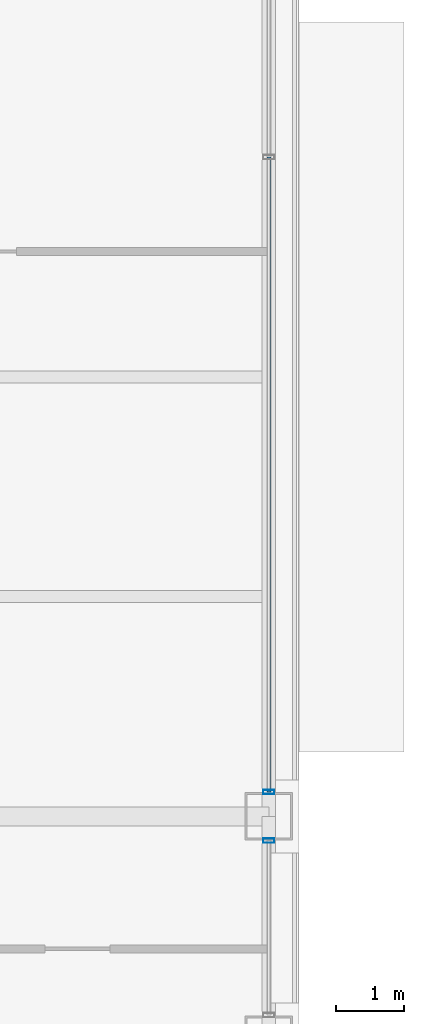
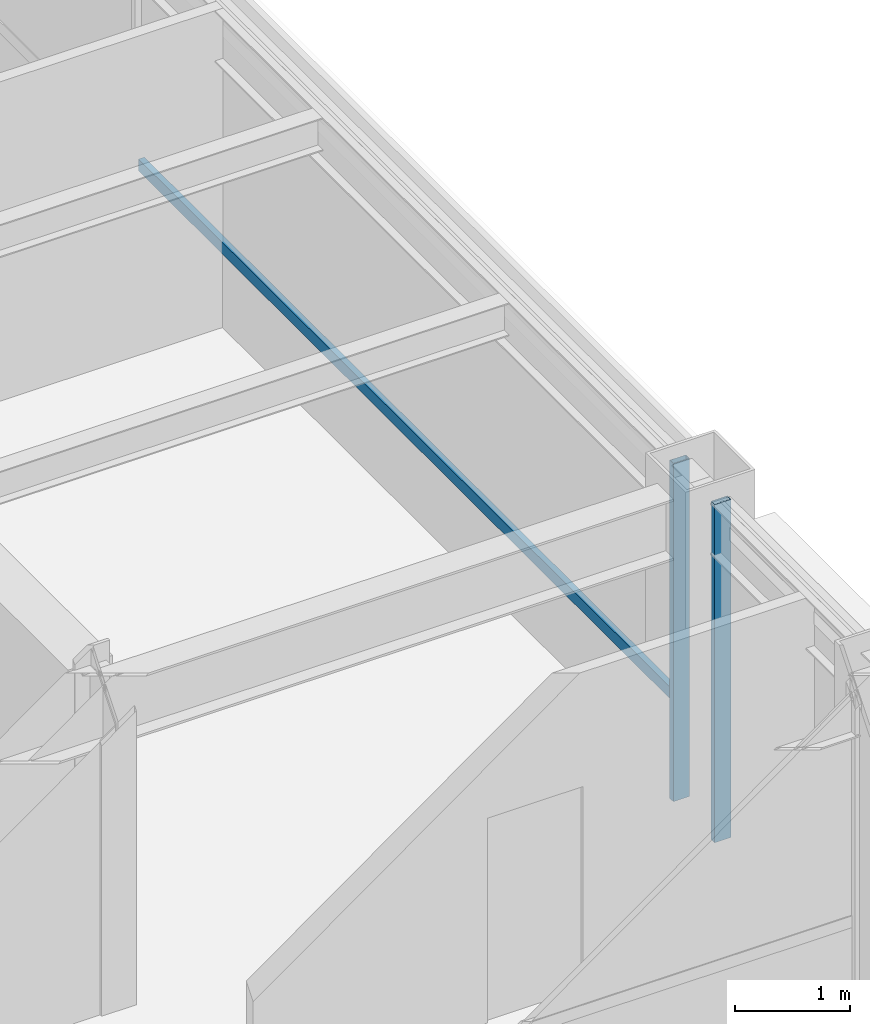
# One storey, part 14 of 26: 3 members, 2 elements without a shape of their own.
"""IFC4 building model written with IfcOpenShell, lengths in metres."""

import ifcopenshell
import ifcopenshell.guid

model = None  # the IFC model being written
_history = None  # IfcOwnerHistory: only IFC2X3 demands one
_inside = {}  # id of a spatial element -> (the spatial element, [elements in it])
_under = {}  # id of a project, library or spatial element -> (it, [spatial elements below it])
_declared = {}  # id of a project -> (the project, [libraries it declares])
_typed = {}  # id of a type object -> (the type object, [elements of that type])
_made_of = {}  # id of a material, layer set ... -> (it, [elements and type objects made of it])


def new_model(schema):
    """Start an empty IFC model of exactly this schema.

    Asked for "IFC4X3", IfcOpenShell would pick the latest addendum, in which some entities
    have other attributes; the version numbers below select the first issue.
    IFC2X3 requires an IfcOwnerHistory on every rooted entity: one is made here for all.
    """
    global model, _history
    if schema == "IFC4X3":
        model = ifcopenshell.file(schema_version=(4, 3, 0, 0))
    else:
        model = ifcopenshell.file(schema=schema)
    _inside.clear()
    _under.clear()
    _declared.clear()
    _typed.clear()
    _made_of.clear()
    _history = None
    if model.schema == "IFC2X3":
        org = make("IfcOrganization", Name="unknown")
        user = make(
            "IfcPersonAndOrganization",
            ThePerson=make("IfcPerson", FamilyName="unknown"),
            TheOrganization=org,
        )
        app = make(
            "IfcApplication",
            ApplicationDeveloper=org,
            Version="unknown",
            ApplicationFullName="unknown",
            ApplicationIdentifier="unknown",
        )
        _history = make(
            "IfcOwnerHistory",
            OwningUser=user,
            OwningApplication=app,
            ChangeAction="ADDED",
            CreationDate=0,
        )
    return model


def make(cls, **values):
    """One entity of the class cls with the attributes given. An attribute that is None is left unset."""
    return model.create_entity(
        cls, **{name: value for name, value in values.items() if value is not None}
    )


def rooted(cls, **values):
    """An entity with a GlobalId (a new one), such as an element, a storey or a relation."""
    return make(cls, GlobalId=ifcopenshell.guid.new(), OwnerHistory=_history, **values)


def si_unit(unit_type, name, prefix=None):
    """IfcSIUnit, for example si_unit("LENGTHUNIT", "METRE", prefix="MILLI")."""
    return make("IfcSIUnit", UnitType=unit_type, Prefix=prefix, Name=name)


def assignment(units):
    """IfcUnitAssignment: the units of a project."""
    return None if units is None else make("IfcUnitAssignment", Units=units)


def point(xyz):
    """IfcCartesianPoint."""
    return None if xyz is None else make("IfcCartesianPoint", Coordinates=xyz)


def direction(xyz):
    """IfcDirection."""
    return None if xyz is None else make("IfcDirection", DirectionRatios=xyz)


def frame(location, z_axis=None, x_axis=None):
    """IfcAxis2Placement3D, a coordinate frame: its origin and axes. An axis left out is left unset."""
    return make(
        "IfcAxis2Placement3D",
        Location=point(location),
        Axis=direction(z_axis),
        RefDirection=direction(x_axis),
    )


def frame_2d(location, x_axis=None):
    """IfcAxis2Placement2D, a coordinate frame in the plane: its origin and x axis."""
    return make(
        "IfcAxis2Placement2D", Location=point(location), RefDirection=direction(x_axis)
    )


def origin():
    """The frame at (0, 0, 0) with its axes left unset."""
    return frame((0.0, 0.0, 0.0))


def origin_2d():
    """The frame at (0, 0) in the plane with its x axis left unset."""
    return frame_2d((0.0, 0.0))


def place(relative_to, where):
    """IfcLocalPlacement: puts the frame where relative to a parent placement (None: the world)."""
    return make(
        "IfcLocalPlacement", PlacementRelTo=relative_to, RelativePlacement=where
    )


def context(
    kind, dimensions, precision=None, world=None, true_north=None, identifier=None
):
    """IfcGeometricRepresentationContext, for example the 3D "Model" context."""
    return make(
        "IfcGeometricRepresentationContext",
        ContextIdentifier=identifier,
        ContextType=kind,
        CoordinateSpaceDimension=dimensions,
        Precision=precision,
        WorldCoordinateSystem=world,
        TrueNorth=true_north,
    )


def subcontext(parent, identifier, kind, view, scale=None):
    """IfcGeometricRepresentationSubContext, for example "Body" below "Model"."""
    return make(
        "IfcGeometricRepresentationSubContext",
        ContextIdentifier=identifier,
        ContextType=kind,
        ParentContext=parent,
        TargetScale=scale,
        TargetView=view,
    )


def project(units=None, contexts=None):
    """IfcProject with its units and contexts."""
    return rooted(
        "IfcProject",
        Name="project",
        RepresentationContexts=contexts,
        UnitsInContext=assignment(units),
    )


def spatial(cls, under=None, at=None, **own):
    """A site, building, storey or space (cls), placed at a placement, below another one or the project."""
    s = rooted(cls, ObjectPlacement=at, **own)
    if under is not None:
        _under.setdefault(under.id(), (under, []))[1].append(s)
    return s


def profile(cls, at=None, kind="AREA", **sizes):
    """A parametric profile (cls). Its sizes go by their IFC names, for example OverallWidth=200.0."""
    return make(cls, ProfileType=kind, Position=at, **sizes)


def hollow_rectangle(**sizes):
    """IfcRectangleHollowProfileDef."""
    return profile("IfcRectangleHollowProfileDef", **sizes)


def extrude(swept, where, along, depth):
    """IfcExtrudedAreaSolid: the profile swept, set in the frame where, extruded along a direction by depth."""
    return make(
        "IfcExtrudedAreaSolid",
        SweptArea=swept,
        Position=where,
        ExtrudedDirection=direction(along),
        Depth=depth,
    )


def shape(context_of_items, identifier, shape_type, items):
    """IfcShapeRepresentation: the items that make up one representation, for example the "Body"."""
    return make(
        "IfcShapeRepresentation",
        ContextOfItems=context_of_items,
        RepresentationIdentifier=identifier,
        RepresentationType=shape_type,
        Items=items,
    )


def material(Name=None, Category=None):
    """IfcMaterial."""
    return make("IfcMaterial", Name=Name, Category=Category)


def layer(
    of_material, thickness, ventilated=None, Name=None, Category=None, Priority=None
):
    """IfcMaterialLayer: one layer of a wall or slab, of a material (None: an air gap)."""
    return make(
        "IfcMaterialLayer",
        Material=of_material,
        LayerThickness=thickness,
        IsVentilated=ventilated,
        Name=Name,
        Category=Category,
        Priority=Priority,
    )


def layer_set(layers, Name=None):
    """IfcMaterialLayerSet."""
    return make("IfcMaterialLayerSet", MaterialLayers=layers, LayerSetName=Name)


def material_profile(
    of_material, cross_section, Name=None, Category=None, Priority=None
):
    """IfcMaterialProfile: a cross section and its material."""
    return make(
        "IfcMaterialProfile",
        Name=Name,
        Material=of_material,
        Profile=cross_section,
        Priority=Priority,
        Category=Category,
    )


def profile_set(profiles, Name=None, composite=None):
    """IfcMaterialProfileSet."""
    return make(
        "IfcMaterialProfileSet",
        Name=Name,
        MaterialProfiles=profiles,
        CompositeProfile=composite,
    )


def made_of(thing, what):
    """Note that an element or type object is made of a material, layer set ...; save() writes the relation."""
    if what is not None:
        _made_of.setdefault(what.id(), (what, []))[1].append(thing)
    return thing


def type_object(cls, material=None, **own):
    """A type object (cls), such as IfcWallType, which elements share."""
    return made_of(rooted(cls, **own), material)


def element(
    cls,
    number,
    at=None,
    inside=None,
    cuts=None,
    type_object=None,
    material=None,
    context=None,
    identifier="Body",
    shape_type=None,
    held_by="IfcProductDefinitionShape",
    body=None,
    shapes=None,
    **own,
):
    """One element of the class cls, such as IfcWall. Its Tag is "e" and its number.

    at: its placement. inside: the storey or other place that contains it. cuts: it is an
    opening in that element (IfcRelVoidsElement). A single representation is given by context,
    identifier, shape_type and body (its items); several are given by shapes. held_by: the class
    of the entity that holds the representations. save() writes the other relations.
    """
    e = rooted(cls, Tag="e%d" % number, ObjectPlacement=at, **own)
    if body is not None:
        shapes = [shape(context, identifier, shape_type, body)]
    if shapes is not None:
        e.Representation = make(held_by, Representations=shapes)
    if inside is not None:
        _inside.setdefault(inside.id(), (inside, []))[1].append(e)
    if cuts is not None:
        rooted(
            "IfcRelVoidsElement", RelatingBuildingElement=cuts, RelatedOpeningElement=e
        )
    if type_object is not None:
        _typed.setdefault(type_object.id(), (type_object, []))[1].append(e)
    return made_of(e, material)


def aggregate(whole, parts):
    """IfcRelAggregates: a whole, such as a stair, and the parts it consists of."""
    return rooted("IfcRelAggregates", RelatingObject=whole, RelatedObjects=parts)


def save(model, path):
    """Write the relations noted so far, then the file.

    IfcRelAggregates (storeys below a building ...), IfcRelContainedInSpatialStructure (elements
    in a storey), IfcRelDefinesByType, IfcRelAssociatesMaterial and IfcRelDeclares: one each for
    every whole, place, type object, material and project.
    """
    for whole, parts in _under.values():
        aggregate(whole, parts)
    for where, things in _inside.values():
        rooted(
            "IfcRelContainedInSpatialStructure",
            RelatedElements=things,
            RelatingStructure=where,
        )
    for kind, things in _typed.values():
        rooted("IfcRelDefinesByType", RelatedObjects=things, RelatingType=kind)
    for what, things in _made_of.values():
        rooted("IfcRelAssociatesMaterial", RelatedObjects=things, RelatingMaterial=what)
    for by, libraries in _declared.values():
        rooted("IfcRelDeclares", RelatingContext=by, RelatedDefinitions=libraries)
    model.write(path)


model = new_model("IFC4")

# Units and contexts
model_context = context("Model", 3, precision=1e-05, world=origin(), true_north=direction((0.0, 1.0)))
body_context = subcontext(model_context, "Body", "Model", "MODEL_VIEW")
ifc_project = project(units=[si_unit("LENGTHUNIT", "METRE"), si_unit("AREAUNIT", "SQUARE_METRE"), si_unit("VOLUMEUNIT", "CUBIC_METRE"), si_unit("PLANEANGLEUNIT", "RADIAN"), si_unit("MASSUNIT", "GRAM", prefix="KILO")], contexts=[model_context])

# Site, building, storey
site_placement = place(None, origin())
site = spatial("IfcSite", under=ifc_project, at=site_placement, CompositionType="ELEMENT")
building_placement = place(site_placement, origin())
building = spatial("IfcBuilding", under=site, at=building_placement, Name="Brelmoor Portico Tower", CompositionType="ELEMENT")
storey_placement = place(building_placement, frame((0.0, 0.0, 205.5)))
storey = spatial("IfcBuildingStorey", under=building, at=storey_placement, Name="L54", CompositionType="ELEMENT", Elevation=205.5)

# Curtain wall, member
ifc_material = material(Name="Anodised Aluminium Alloy 6063-T6", Category="aluminium")
ifc_layer = layer(ifc_material, 0.179931640625)
ifc_layer_set = layer_set([ifc_layer], Name="Anodised Aluminium Alloy 6063-T6")
curtain_wall_type = type_object("IfcCurtainWallType", Name="CW-TOWER-Z3", PredefinedType="NOTDEFINED", material=ifc_layer_set)
curtain_wall_1_placement = place(storey_placement, origin())
curtain_wall_1 = element("IfcCurtainWall", 1, at=curtain_wall_1_placement, inside=storey, type_object=curtain_wall_type, Name="L54 Curtain Wall CW-L54-04-1", PredefinedType="NOTDEFINED")
ifc_material_profile_1 = material_profile(ifc_material, hollow_rectangle(XDim=0.06494140625, YDim=0.1650390625, WallThickness=0.00390625, at=origin_2d()), Name="ALU MULLION 65x165")
ifc_profile_set_1 = profile_set([ifc_material_profile_1], Name="Anodised Aluminium Alloy 6063-T6")
member_type_1 = type_object("IfcMemberType", Name="MB-CW-MULL-165", PredefinedType="MULLION", material=ifc_profile_set_1)
member_1_placement = place(storey_placement, frame((20.550048828125, -10.110107421875, -0.199951171875), z_axis=(0.0, 0.0, 1.0), x_axis=(0.0, 1.0, 0.0)))
member_1 = element("IfcMember", 2, at=member_1_placement, type_object=member_type_1, Name="CW-L54-04-1 Mullion 01", PredefinedType="MULLION", context=body_context, shape_type="SweptSolid", body=[
    extrude(hollow_rectangle(XDim=0.06494140625, YDim=0.1650390625, WallThickness=0.00390625, at=origin_2d()), origin(), (0.0, 0.0, 1.0), 3.599853515625),
])
aggregate(curtain_wall_1, [member_1])

# Curtain wall, members
curtain_wall_2_placement = place(storey_placement, origin())
curtain_wall_2 = element("IfcCurtainWall", 3, at=curtain_wall_2_placement, inside=storey, type_object=curtain_wall_type, Name="L54 Curtain Wall CW-L54-04-2", PredefinedType="NOTDEFINED")
member_2_placement = place(storey_placement, frame((20.550048828125, -9.389892578125, -0.199951171875), z_axis=(0.0, 0.0, 1.0), x_axis=(0.0, 1.0, 0.0)))
member_2 = element("IfcMember", 4, at=member_2_placement, type_object=member_type_1, Name="CW-L54-04-2 Mullion 00", PredefinedType="MULLION", context=body_context, shape_type="SweptSolid", body=[
    extrude(hollow_rectangle(XDim=0.06494140625, YDim=0.1650390625, WallThickness=0.00390625, at=origin_2d()), origin(), (0.0, 0.0, 1.0), 3.599853515625),
])
ifc_material_profile_2 = material_profile(ifc_material, hollow_rectangle(XDim=0.06005859375, YDim=0.125, WallThickness=0.00341796875, at=origin_2d()), Name="ALU TRANSOM 60x125")
ifc_profile_set_2 = profile_set([ifc_material_profile_2], Name="Anodised Aluminium Alloy 6063-T6")
member_type_2 = type_object("IfcMemberType", Name="MB-CW-TRAN-125", PredefinedType="USERDEFINED", material=ifc_profile_set_2)
member_3_placement = place(storey_placement, frame((20.550048828125, -9.389892578125, 0.85009765625), z_axis=(0.0, 1.0, 0.0), x_axis=(-1.0, 0.0, 0.0)))
member_3 = element("IfcMember", 5, at=member_3_placement, type_object=member_type_2, Name="CW-L54-04-2 Transom 1-00", ObjectType="TRANSOM", PredefinedType="USERDEFINED", context=body_context, shape_type="SweptSolid", body=[
    extrude(hollow_rectangle(XDim=0.06005859375, YDim=0.125, WallThickness=0.00341796875, at=origin_2d()), origin(), (0.0, 0.0, 1.0), 9.389892578125),
])
aggregate(curtain_wall_2, [member_2, member_3])

save(model, "model.ifc")
